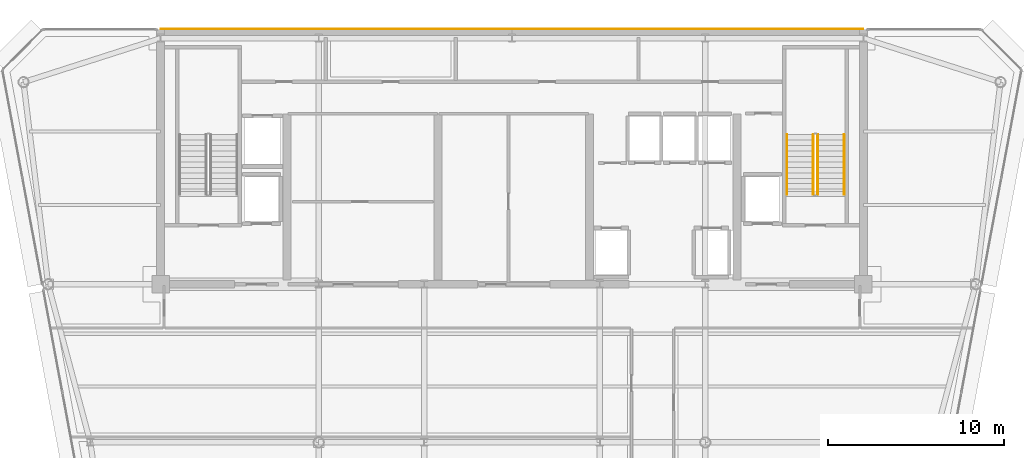
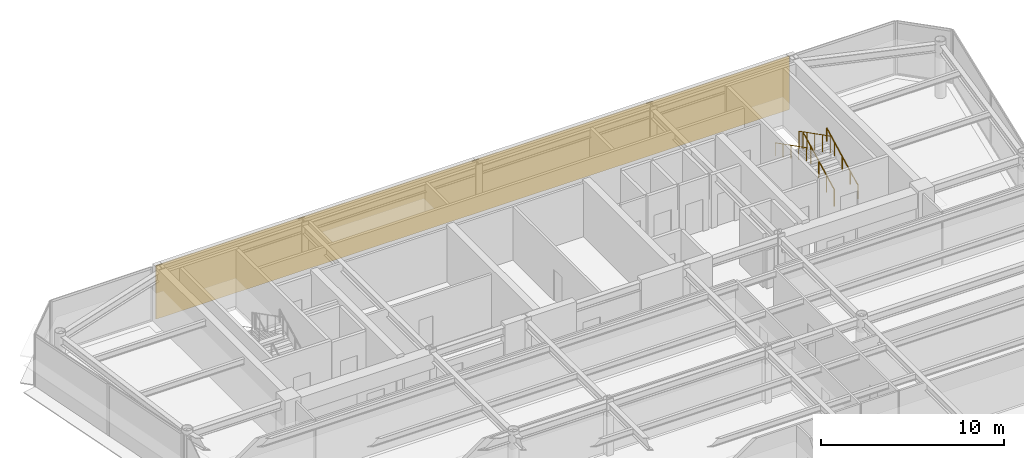
# One storey, part 17 of 18: 4 railings, 1 covering.
"""IFC4 building model written with IfcOpenShell, lengths in metres."""

from ifc_helpers import new_model, si_unit, direction, frame, origin, origin_2d, place, context, subcontext, project, spatial, polyline, circle, outline, extrude, material, layer, layer_set, type_object, element, save


model = new_model("IFC4")

# Units and contexts
model_context = context("Model", 3, precision=1e-05, world=origin(), true_north=direction((0.0, 1.0)))
body_context = subcontext(model_context, "Body", "Model", "MODEL_VIEW")
ifc_project = project(units=[si_unit("LENGTHUNIT", "METRE"), si_unit("AREAUNIT", "SQUARE_METRE"), si_unit("VOLUMEUNIT", "CUBIC_METRE"), si_unit("PLANEANGLEUNIT", "RADIAN"), si_unit("MASSUNIT", "GRAM", prefix="KILO")], contexts=[model_context])

# Site, building, storey
site_placement = place(None, origin())
site = spatial("IfcSite", under=ifc_project, at=site_placement, CompositionType="ELEMENT")
building_placement = place(site_placement, origin())
building = spatial("IfcBuilding", under=site, at=building_placement, Name="Vaeldorn Concourse Tower", CompositionType="ELEMENT")
storey_placement = place(building_placement, frame((0.0, 0.0, 253.60009765625)))
storey = spatial("IfcBuildingStorey", under=building, at=storey_placement, Name="L65", CompositionType="ELEMENT", Elevation=253.60009765625)

# Covering
ifc_material = material(Name="Anodised Bronze Aluminium", Category="aluminium")
ifc_layer = layer(ifc_material, 0.050048828125)
ifc_layer_set = layer_set([ifc_layer], Name="Anodised Bronze Aluminium")
covering_type = type_object("IfcCoveringType", Name="COV-CLAD-BRONZE", PredefinedType="CLADDING", material=ifc_layer_set)
covering_placement = place(storey_placement, origin())
element("IfcCovering", 1, at=covering_placement, inside=storey, type_object=covering_type, Name="Rear Core Bronze Spandrel Cladding L65", PredefinedType="CLADDING", context=body_context, shape_type="SweptSolid", body=[
    extrude(outline(polyline([(14.0, 51.0), (54.0, 51.0), (54.0, 51.050048828125), (14.0, 51.050048828125), (14.0, 51.0)])), origin(), (0.0, 0.0, 1.0), 3.579833984375),
])

# Railings
railing_type_1 = type_object("IfcRailingType", Name="RL-STAIR-GUARD", PredefinedType="GUARDRAIL", material=ifc_material)
railing_1_placement = place(storey_placement, frame((51.39990234375, 41.60009765625, 0.158203125)))
element("IfcRailing", 2, at=railing_1_placement, inside=storey, type_object=railing_type_1, Name="L65 ST-2 stair guard 1", PredefinedType="GUARDRAIL", context=body_context, shape_type="SweptSolid", body=[
    extrude(circle(Radius=0.02392578125, at=origin_2d()), frame((0.0, 0.0, 1.1259765625), z_axis=(0.0, 0.890555807335, 0.454873997962), x_axis=(-1.0, 0.0, 0.0)), (0.0, 0.0, 1.0), 3.828857421875),
    extrude(circle(Radius=0.02099609375, at=origin_2d()), origin(), (0.0, 0.0, 1.0), 1.101806640625),
    extrude(circle(Radius=0.02099609375, at=origin_2d()), frame((0.0, 0.8525390625, 0.435546875)), (0.0, 0.0, 1.0), 1.101806640625),
    extrude(circle(Radius=0.02099609375, at=origin_2d()), frame((0.0, 1.705078125, 0.870849609375)), (0.0, 0.0, 1.0), 1.101806640625),
    extrude(circle(Radius=0.02099609375, at=origin_2d()), frame((0.0, 2.557373046875, 1.30615234375)), (0.0, 0.0, 1.0), 1.101806640625),
    extrude(circle(Radius=0.02099609375, at=origin_2d()), frame((0.0, 3.409912109375, 1.74169921875)), (0.0, 0.0, 1.0), 1.101806640625),
])
railing_2_placement = place(storey_placement, frame((51.14990234375, 45.010009765625, 2.058349609375)))
element("IfcRailing", 3, at=railing_2_placement, inside=storey, type_object=railing_type_1, Name="L65 ST-2 stair guard 3", PredefinedType="GUARDRAIL", context=body_context, shape_type="SweptSolid", body=[
    extrude(circle(Radius=0.02392578125, at=origin_2d()), frame((0.0, 0.0, 1.1259765625), z_axis=(0.0, -0.890581635807, 0.454823427236), x_axis=(1.0, 0.0, 0.0)), (0.0, 0.0, 1.0), 3.828857421875),
    extrude(circle(Radius=0.02099609375, at=origin_2d()), origin(), (0.0, 0.0, 1.0), 1.101806640625),
    extrude(circle(Radius=0.02099609375, at=origin_2d()), frame((0.0, -0.8525390625, 0.435302734375)), (0.0, 0.0, 1.0), 1.101806640625),
    extrude(circle(Radius=0.02099609375, at=origin_2d()), frame((0.0, -1.705078125, 0.87060546875)), (0.0, 0.0, 1.0), 1.101806640625),
    extrude(circle(Radius=0.02099609375, at=origin_2d()), frame((0.0, -2.557373046875, 1.30615234375)), (0.0, 0.0, 1.0), 1.101806640625),
    extrude(circle(Radius=0.02099609375, at=origin_2d()), frame((0.0, -3.409912109375, 1.741455078125)), (0.0, 0.0, 1.0), 1.101806640625),
])
railing_type_2 = type_object("IfcRailingType", Name="RL-STAIR-HANDRAIL", PredefinedType="HANDRAIL", material=ifc_material)
railing_3_placement = place(storey_placement, frame((52.89990234375, 41.60009765625, 0.158203125)))
element("IfcRailing", 4, at=railing_3_placement, inside=storey, type_object=railing_type_2, Name="L65 ST-2 stair handrail 1", PredefinedType="HANDRAIL", context=body_context, shape_type="SweptSolid", body=[
    extrude(circle(Radius=0.02392578125, at=origin_2d()), frame((0.0, 0.0, 0.8759765625), z_axis=(0.0, 0.890555807335, 0.454873997962), x_axis=(-1.0, 0.0, 0.0)), (0.0, 0.0, 1.0), 3.828857421875),
    extrude(circle(Radius=0.02099609375, at=origin_2d()), origin(), (0.0, 0.0, 1.0), 0.851806640625),
    extrude(circle(Radius=0.02099609375, at=origin_2d()), frame((0.0, 0.8525390625, 0.435546875)), (0.0, 0.0, 1.0), 0.851806640625),
    extrude(circle(Radius=0.02099609375, at=origin_2d()), frame((0.0, 1.705078125, 0.870849609375)), (0.0, 0.0, 1.0), 0.851806640625),
    extrude(circle(Radius=0.02099609375, at=origin_2d()), frame((0.0, 2.557373046875, 1.30615234375)), (0.0, 0.0, 1.0), 0.851806640625),
    extrude(circle(Radius=0.02099609375, at=origin_2d()), frame((0.0, 3.409912109375, 1.74169921875)), (0.0, 0.0, 1.0), 0.851806640625),
])
railing_4_placement = place(storey_placement, frame((49.64990234375, 45.010009765625, 2.058349609375)))
element("IfcRailing", 5, at=railing_4_placement, inside=storey, type_object=railing_type_2, Name="L65 ST-2 stair handrail 2", PredefinedType="HANDRAIL", context=body_context, shape_type="SweptSolid", body=[
    extrude(circle(Radius=0.02392578125, at=origin_2d()), frame((0.0, 0.0, 0.8759765625), z_axis=(0.0, -0.890581635807, 0.454823427236), x_axis=(1.0, 0.0, 0.0)), (0.0, 0.0, 1.0), 3.828857421875),
    extrude(circle(Radius=0.02099609375, at=origin_2d()), origin(), (0.0, 0.0, 1.0), 0.851806640625),
    extrude(circle(Radius=0.02099609375, at=origin_2d()), frame((0.0, -0.8525390625, 0.435302734375)), (0.0, 0.0, 1.0), 0.851806640625),
    extrude(circle(Radius=0.02099609375, at=origin_2d()), frame((0.0, -1.705078125, 0.87060546875)), (0.0, 0.0, 1.0), 0.851806640625),
    extrude(circle(Radius=0.02099609375, at=origin_2d()), frame((0.0, -2.557373046875, 1.30615234375)), (0.0, 0.0, 1.0), 0.851806640625),
    extrude(circle(Radius=0.02099609375, at=origin_2d()), frame((0.0, -3.409912109375, 1.741455078125)), (0.0, 0.0, 1.0), 0.851806640625),
])

save(model, "model.ifc")
